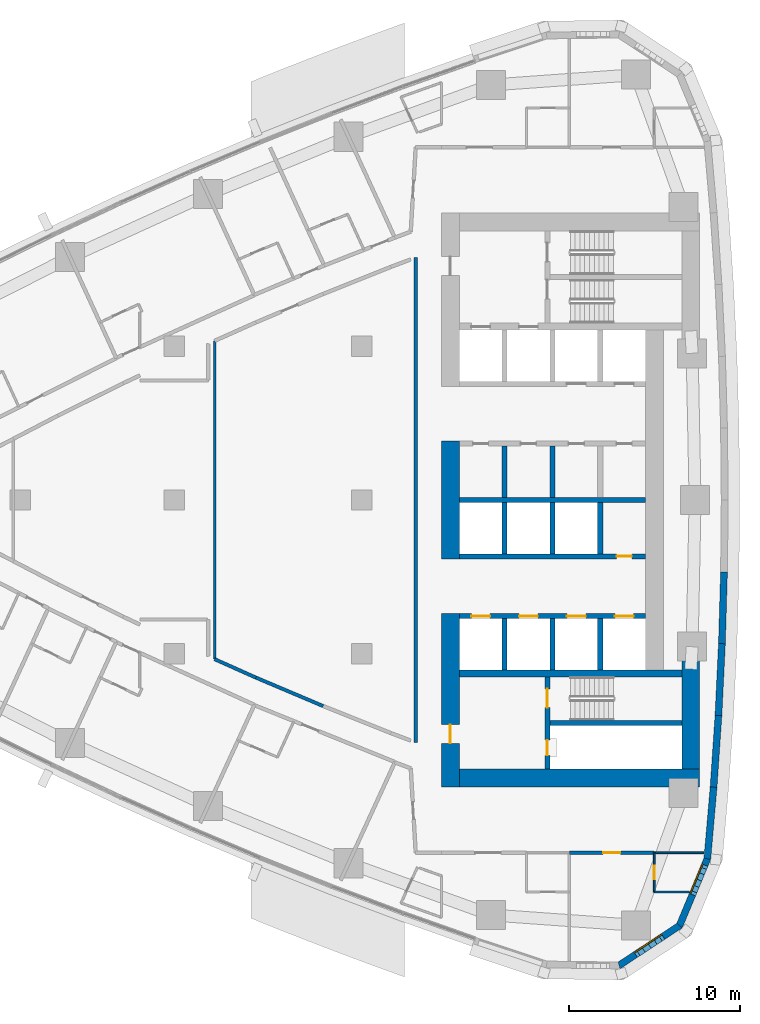
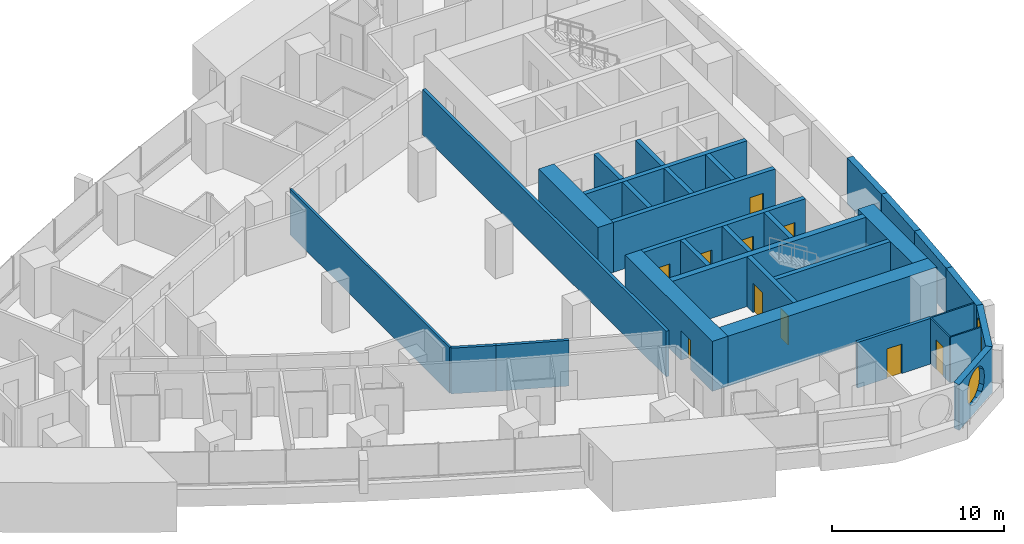
# One storey, part 10 of 17: 32 walls, 10 doors, 2 windows, 12 openings.
"""IFC4 building model written with IfcOpenShell, lengths in metres."""

from ifc_helpers import new_model, si_unit, direction, frame, frame_2d, origin, place, context, subcontext, project, spatial, polyline, rectangle, outline, extrude, material, layer, layer_set, type_object, element, fill, save


model = new_model("IFC4")

# Units and contexts
model_context = context("Model", 3, precision=1e-05, world=origin(), true_north=direction((0.0, 1.0)))
body_context = subcontext(model_context, "Body", "Model", "MODEL_VIEW")
ifc_project = project(units=[si_unit("LENGTHUNIT", "METRE"), si_unit("AREAUNIT", "SQUARE_METRE"), si_unit("VOLUMEUNIT", "CUBIC_METRE"), si_unit("PLANEANGLEUNIT", "RADIAN"), si_unit("MASSUNIT", "GRAM", prefix="KILO")], contexts=[model_context])

# Site, building, storey
site_placement = place(None, origin())
site = spatial("IfcSite", under=ifc_project, at=site_placement, CompositionType="ELEMENT")
building_placement = place(site_placement, origin())
building = spatial("IfcBuilding", under=site, at=building_placement, Name="Ostrand Prow Hotel Tower", CompositionType="ELEMENT")
storey_placement = place(building_placement, frame((0.0, 0.0, 99.10009765625)))
storey = spatial("IfcBuildingStorey", under=building, at=storey_placement, Name="L23", CompositionType="ELEMENT", Elevation=99.10009765625)

# Wall
ifc_material_1 = material(Name="Concrete C80/95", Category="concrete")
ifc_layer_1 = layer(ifc_material_1, 1.050048828125)
ifc_layer_set_1 = layer_set([ifc_layer_1], Name="Concrete C80/95")
wall_type_1 = type_object("IfcWallType", Name="Core wall 1050 C80/95", PredefinedType="SHEAR", material=ifc_layer_set_1)
wall_1_placement = place(storey_placement, frame((50.175048828125, -3.449951171875, 0.0), z_axis=(0.0, 0.0, 1.0), x_axis=(0.0, 1.0, 0.0)))
element("IfcWall", 1, at=wall_1_placement, inside=storey, type_object=wall_type_1, Name="Core wall CW-W-C", PredefinedType="SHEAR", context=body_context, shape_type="SweptSolid", body=[
    extrude(rectangle(XDim=6.89990234375, YDim=1.050048828125, at=frame_2d((3.449951171875, 0.0))), origin(), (0.0, 0.0, 1.0), 3.5498046875),
])

# Wall, opening, door
wall_2_placement = place(storey_placement, frame((50.175048828125, -16.800048828125, 0.0), z_axis=(0.0, 0.0, 1.0), x_axis=(0.0, 1.0, 0.0)))
wall_2 = element("IfcWall", 2, at=wall_2_placement, inside=storey, type_object=wall_type_1, Name="Core wall CW-W-S", PredefinedType="SHEAR", context=body_context, shape_type="SweptSolid", body=[
    extrude(rectangle(XDim=10.150146484375, YDim=1.050048828125, at=frame_2d((5.0751953125, 0.0))), origin(), (0.0, 0.0, 1.0), 3.5498046875),
])
opening_1_placement = place(wall_2_placement, frame((2.550048828125, 0.0, 0.0)))
opening_1 = element("IfcOpeningElement", 3, at=opening_1_placement, cuts=wall_2, Name="Opening FD1", PredefinedType="OPENING", context=body_context, shape_type="SweptSolid", body=[
    extrude(rectangle(XDim=1.10009765625, YDim=2.10009765625, at=frame_2d((0.550048828125, 1.050048828125))), frame((0.0, 0.534912109375, 0.0), z_axis=(0.0, -1.0, 0.0), x_axis=(1.0, 0.0, 0.0)), (0.0, 0.0, 1.0), 1.070068359375),
])
ifc_material_2 = material(Name="Steel fire door", Category="steel")
door_type_1 = type_object("IfcDoorType", Name="Fire door 1100 EI120", OperationType="SINGLE_SWING_RIGHT", PredefinedType="DOOR", material=ifc_material_2)
door_1_placement = place(opening_1_placement, origin())
door_1 = element("IfcDoor", 4, at=door_1_placement, inside=storey, type_object=door_type_1, Name="FIRE DOOR", OperationType="SINGLE_SWING_RIGHT", OverallHeight=2.10009765625, OverallWidth=1.10009765625, PredefinedType="DOOR", context=body_context, shape_type="SweptSolid", body=[
    extrude(rectangle(XDim=1.10009765625, YDim=2.10009765625, at=frame_2d((0.550048828125, 1.050048828125))), frame((0.0, 0.02490234375, 0.0), z_axis=(0.0, -1.0, 0.0), x_axis=(1.0, 0.0, 0.0)), (0.0, 0.0, 1.0), 0.050048828125),
])
fill(opening_1, door_1)

# Walls
wall_3_placement = place(storey_placement, frame((50.699951171875, -16.27490234375, 0.0), z_axis=(0.0, 0.0, 1.0), x_axis=(1.0, 0.0, 0.0)))
element("IfcWall", 5, at=wall_3_placement, inside=storey, type_object=wall_type_1, Name="Core wall CW-S", PredefinedType="SHEAR", context=body_context, shape_type="SweptSolid", body=[
    extrude(rectangle(XDim=14.070068359375, YDim=1.050048828125, at=frame_2d((7.03515625, 0.0))), origin(), (0.0, 0.0, 1.0), 3.5498046875),
])
wall_4_placement = place(storey_placement, frame((64.2451171875, -15.75, 0.0), z_axis=(0.0, 0.0, 1.0), x_axis=(0.0, 1.0, 0.0)))
element("IfcWall", 6, at=wall_4_placement, inside=storey, type_object=wall_type_1, Name="Core wall CW-E-S", PredefinedType="SHEAR", context=body_context, shape_type="SweptSolid", body=[
    extrude(rectangle(XDim=6.361328125, YDim=1.050048828125, at=frame_2d((3.1806640625, 0.0))), origin(), (0.0, 0.0, 1.0), 3.5498046875),
])
ifc_material_3 = material(Name="Concrete C80/95", Category="concrete")
ifc_layer_2 = layer(ifc_material_3, 0.300048828125)
ifc_layer_set_2 = layer_set([ifc_layer_2], Name="Concrete C80/95")
wall_type_2 = type_object("IfcWallType", Name="Core wall 300 C80/95", PredefinedType="SHEAR", material=ifc_layer_set_2)
wall_5_placement = place(storey_placement, frame((50.699951171875, 0.0, 0.0), z_axis=(0.0, 0.0, 1.0), x_axis=(1.0, 0.0, 0.0)))
element("IfcWall", 7, at=wall_5_placement, inside=storey, type_object=wall_type_2, Name="Core wall PW-C", PredefinedType="SHEAR", context=body_context, shape_type="SweptSolid", body=[
    extrude(rectangle(XDim=10.900146484375, YDim=0.300048828125, at=frame_2d((5.4501953125, 0.0))), origin(), (0.0, 0.0, 1.0), 3.5498046875),
])
for number, where, z_axis, x_axis, name in (
    (8, (53.35009765625, 0.14990234375, 0.0), (0.0, 0.0, 1.0), (0.0, 1.0, 0.0), "Core wall PW-R1-NB"),
    (9, (56.14990234375, 0.14990234375, 0.0), (0.0, 0.0, 1.0), (0.0, 1.0, 0.0), "Core wall PW-R2-NB"),
):
    element("IfcWall", number, at=place(storey_placement, frame(where, z_axis=z_axis, x_axis=x_axis)), inside=storey, type_object=wall_type_2, Name=name, PredefinedType="SHEAR", context=body_context, shape_type="SweptSolid", body=[
        extrude(rectangle(XDim=3.0, YDim=0.300048828125, at=frame_2d((1.5, 0.0))), origin(), (0.0, 0.0, 1.0), 3.5498046875),
    ])

# Wall, opening, door
wall_6_placement = place(storey_placement, frame((50.699951171875, -3.300048828125, 0.0), z_axis=(0.0, 0.0, 1.0), x_axis=(1.0, 0.0, 0.0)))
wall_6 = element("IfcWall", 10, at=wall_6_placement, inside=storey, type_object=wall_type_2, Name="Core wall PW-L1-S", PredefinedType="SHEAR", context=body_context, shape_type="SweptSolid", body=[
    extrude(rectangle(XDim=10.900146484375, YDim=0.300048828125, at=frame_2d((5.4501953125, 0.0))), origin(), (0.0, 0.0, 1.0), 3.5498046875),
])
opening_2_placement = place(wall_6_placement, frame((9.199951171875, 0.0, 0.0)))
opening_2 = element("IfcOpeningElement", 11, at=opening_2_placement, cuts=wall_6, Name="Opening FD2", PredefinedType="OPENING", context=body_context, shape_type="SweptSolid", body=[
    extrude(rectangle(XDim=0.89990234375, YDim=2.10009765625, at=frame_2d((0.449951171875, 1.050048828125))), frame((0.0, 0.159912109375, 0.0), z_axis=(0.0, -1.0, 0.0), x_axis=(1.0, 0.0, 0.0)), (0.0, 0.0, 1.0), 0.320068359375),
])
ifc_material_4 = material(Name="Steel fire door", Category="steel")
door_type_2 = type_object("IfcDoorType", Name="Fire door 900 EI120", OperationType="SINGLE_SWING_LEFT", PredefinedType="DOOR", material=ifc_material_4)
door_2_placement = place(opening_2_placement, origin())
door_2 = element("IfcDoor", 12, at=door_2_placement, inside=storey, type_object=door_type_2, Name="DOOR", OperationType="SINGLE_SWING_LEFT", OverallHeight=2.10009765625, OverallWidth=0.89990234375, PredefinedType="DOOR", context=body_context, shape_type="SweptSolid", body=[
    extrude(rectangle(XDim=0.89990234375, YDim=2.10009765625, at=frame_2d((0.449951171875, 1.050048828125))), frame((0.0, 0.02490234375, 0.0), z_axis=(0.0, -1.0, 0.0), x_axis=(1.0, 0.0, 0.0)), (0.0, 0.0, 1.0), 0.050048828125),
])
fill(opening_2, door_2)

# Wall, openings, doors
wall_7_placement = place(storey_placement, frame((50.699951171875, -6.800048828125, 0.0), z_axis=(0.0, 0.0, 1.0), x_axis=(1.0, 0.0, 0.0)))
wall_7 = element("IfcWall", 13, at=wall_7_placement, inside=storey, type_object=wall_type_2, Name="Core wall PW-L2-S", PredefinedType="SHEAR", context=body_context, shape_type="SweptSolid", body=[
    extrude(rectangle(XDim=10.900146484375, YDim=0.300048828125, at=frame_2d((5.4501953125, 0.0))), origin(), (0.0, 0.0, 1.0), 3.5498046875),
])
opening_3_placement = place(wall_7_placement, frame((0.699951171875, 0.0, 0.0)))
opening_3 = element("IfcOpeningElement", 14, at=opening_3_placement, cuts=wall_7, Name="Opening LD", PredefinedType="OPENING", context=body_context, shape_type="SweptSolid", body=[
    extrude(rectangle(XDim=1.10009765625, YDim=2.10009765625, at=frame_2d((0.550048828125, 1.050048828125))), frame((0.0, 0.159912109375, 0.0), z_axis=(0.0, -1.0, 0.0), x_axis=(1.0, 0.0, 0.0)), (0.0, 0.0, 1.0), 0.320068359375),
])
opening_4_placement = place(wall_7_placement, frame((3.5, 0.0, 0.0)))
opening_4 = element("IfcOpeningElement", 15, at=opening_4_placement, cuts=wall_7, Name="Opening LD", PredefinedType="OPENING", context=body_context, shape_type="SweptSolid", body=[
    extrude(rectangle(XDim=1.10009765625, YDim=2.10009765625, at=frame_2d((0.550048828125, 1.050048828125))), frame((0.0, 0.159912109375, 0.0), z_axis=(0.0, -1.0, 0.0), x_axis=(1.0, 0.0, 0.0)), (0.0, 0.0, 1.0), 0.320068359375),
])
opening_5_placement = place(wall_7_placement, frame((6.300048828125, 0.0, 0.0)))
opening_5 = element("IfcOpeningElement", 16, at=opening_5_placement, cuts=wall_7, Name="Opening LD", PredefinedType="OPENING", context=body_context, shape_type="SweptSolid", body=[
    extrude(rectangle(XDim=1.10009765625, YDim=2.10009765625, at=frame_2d((0.550048828125, 1.050048828125))), frame((0.0, 0.159912109375, 0.0), z_axis=(0.0, -1.0, 0.0), x_axis=(1.0, 0.0, 0.0)), (0.0, 0.0, 1.0), 0.320068359375),
])
opening_6_placement = place(wall_7_placement, frame((9.10009765625, 0.0, 0.0)))
opening_6 = element("IfcOpeningElement", 17, at=opening_6_placement, cuts=wall_7, Name="Opening LD", PredefinedType="OPENING", context=body_context, shape_type="SweptSolid", body=[
    extrude(rectangle(XDim=1.10009765625, YDim=2.10009765625, at=frame_2d((0.550048828125, 1.050048828125))), frame((0.0, 0.159912109375, 0.0), z_axis=(0.0, -1.0, 0.0), x_axis=(1.0, 0.0, 0.0)), (0.0, 0.0, 1.0), 0.320068359375),
])
ifc_material_5 = material(Name="Stainless steel door", Category="steel")
door_type_3 = type_object("IfcDoorType", Name="Lift landing door 1100", OperationType="DOUBLE_DOOR_SLIDING", PredefinedType="DOOR", material=ifc_material_5)
door_3_placement = place(opening_3_placement, origin())
door_3 = element("IfcDoor", 18, at=door_3_placement, inside=storey, type_object=door_type_3, Name="LIFT LANDING DOOR", OperationType="DOUBLE_DOOR_SLIDING", OverallHeight=2.10009765625, OverallWidth=1.10009765625, PredefinedType="DOOR", context=body_context, shape_type="SweptSolid", body=[
    extrude(rectangle(XDim=1.10009765625, YDim=2.10009765625, at=frame_2d((0.550048828125, 1.050048828125))), frame((0.0, 0.02490234375, 0.0), z_axis=(0.0, -1.0, 0.0), x_axis=(1.0, 0.0, 0.0)), (0.0, 0.0, 1.0), 0.050048828125),
])
fill(opening_3, door_3)
door_4_placement = place(opening_4_placement, origin())
door_4 = element("IfcDoor", 19, at=door_4_placement, inside=storey, type_object=door_type_3, Name="LIFT LANDING DOOR", OperationType="DOUBLE_DOOR_SLIDING", OverallHeight=2.10009765625, OverallWidth=1.10009765625, PredefinedType="DOOR", context=body_context, shape_type="SweptSolid", body=[
    extrude(rectangle(XDim=1.10009765625, YDim=2.10009765625, at=frame_2d((0.550048828125, 1.050048828125))), frame((0.0, 0.02490234375, 0.0), z_axis=(0.0, -1.0, 0.0), x_axis=(1.0, 0.0, 0.0)), (0.0, 0.0, 1.0), 0.050048828125),
])
fill(opening_4, door_4)
door_5_placement = place(opening_5_placement, origin())
door_5 = element("IfcDoor", 20, at=door_5_placement, inside=storey, type_object=door_type_3, Name="LIFT LANDING DOOR", OperationType="DOUBLE_DOOR_SLIDING", OverallHeight=2.10009765625, OverallWidth=1.10009765625, PredefinedType="DOOR", context=body_context, shape_type="SweptSolid", body=[
    extrude(rectangle(XDim=1.10009765625, YDim=2.10009765625, at=frame_2d((0.550048828125, 1.050048828125))), frame((0.0, 0.02490234375, 0.0), z_axis=(0.0, -1.0, 0.0), x_axis=(1.0, 0.0, 0.0)), (0.0, 0.0, 1.0), 0.050048828125),
])
fill(opening_5, door_5)
door_6_placement = place(opening_6_placement, origin())
door_6 = element("IfcDoor", 21, at=door_6_placement, inside=storey, type_object=door_type_3, Name="LIFT LANDING DOOR", OperationType="DOUBLE_DOOR_SLIDING", OverallHeight=2.10009765625, OverallWidth=1.10009765625, PredefinedType="DOOR", context=body_context, shape_type="SweptSolid", body=[
    extrude(rectangle(XDim=1.10009765625, YDim=2.10009765625, at=frame_2d((0.550048828125, 1.050048828125))), frame((0.0, 0.02490234375, 0.0), z_axis=(0.0, -1.0, 0.0), x_axis=(1.0, 0.0, 0.0)), (0.0, 0.0, 1.0), 0.050048828125),
])
fill(opening_6, door_6)

# Walls
for number, where, z_axis, x_axis, name in (
    (22, (53.35009765625, -3.14990234375, 0.0), (0.0, 0.0, 1.0), (0.0, 1.0, 0.0), "Core wall PW-R1-SB"),
    (23, (53.35009765625, -9.949951171875, 0.0), (0.0, 0.0, 1.0), (0.0, 1.0, 0.0), "Core wall PW-R1-SA"),
    (24, (56.14990234375, -3.14990234375, 0.0), (0.0, 0.0, 1.0), (0.0, 1.0, 0.0), "Core wall PW-R2-SB"),
    (25, (56.14990234375, -9.949951171875, 0.0), (0.0, 0.0, 1.0), (0.0, 1.0, 0.0), "Core wall PW-R2-SA"),
    (26, (58.949951171875, -3.14990234375, 0.0), (0.0, 0.0, 1.0), (0.0, 1.0, 0.0), "Core wall PW-R3-SB"),
    (27, (58.949951171875, -9.949951171875, 0.0), (0.0, 0.0, 1.0), (0.0, 1.0, 0.0), "Core wall PW-R3-SA"),
):
    element("IfcWall", number, at=place(storey_placement, frame(where, z_axis=z_axis, x_axis=x_axis)), inside=storey, type_object=wall_type_2, Name=name, PredefinedType="SHEAR", context=body_context, shape_type="SweptSolid", body=[
        extrude(rectangle(XDim=3.0, YDim=0.300048828125, at=frame_2d((1.5, 0.0))), origin(), (0.0, 0.0, 1.0), 3.5498046875),
    ])

# Wall, openings, doors
wall_8_placement = place(storey_placement, frame((55.85009765625, -15.75, 0.0), z_axis=(0.0, 0.0, 1.0), x_axis=(0.0, 1.0, 0.0)))
wall_8 = element("IfcWall", 28, at=wall_8_placement, inside=storey, type_object=wall_type_2, Name="Core wall PW-VS", PredefinedType="SHEAR", context=body_context, shape_type="SweptSolid", body=[
    extrude(rectangle(XDim=5.39990234375, YDim=0.300048828125, at=frame_2d((2.699951171875, 0.0))), origin(), (0.0, 0.0, 1.0), 3.5498046875),
])
opening_7_placement = place(wall_8_placement, frame((3.60009765625, 0.0, 0.0)))
opening_7 = element("IfcOpeningElement", 29, at=opening_7_placement, cuts=wall_8, Name="Opening FD1", PredefinedType="OPENING", context=body_context, shape_type="SweptSolid", body=[
    extrude(rectangle(XDim=1.10009765625, YDim=2.10009765625, at=frame_2d((0.550048828125, 1.050048828125))), frame((0.0, 0.159912109375, 0.0), z_axis=(0.0, -1.0, 0.0), x_axis=(1.0, 0.0, 0.0)), (0.0, 0.0, 1.0), 0.320068359375),
])
opening_8_placement = place(wall_8_placement, frame((0.800048828125, 0.0, 0.0)))
opening_8 = element("IfcOpeningElement", 30, at=opening_8_placement, cuts=wall_8, Name="Opening FD2", PredefinedType="OPENING", context=body_context, shape_type="SweptSolid", body=[
    extrude(rectangle(XDim=0.89990234375, YDim=2.10009765625, at=frame_2d((0.449951171875, 1.050048828125))), frame((0.0, 0.159912109375, 0.0), z_axis=(0.0, -1.0, 0.0), x_axis=(1.0, 0.0, 0.0)), (0.0, 0.0, 1.0), 0.320068359375),
])
door_7_placement = place(opening_7_placement, origin())
door_7 = element("IfcDoor", 31, at=door_7_placement, inside=storey, type_object=door_type_1, Name="FIRE DOOR", OperationType="SINGLE_SWING_RIGHT", OverallHeight=2.10009765625, OverallWidth=1.10009765625, PredefinedType="DOOR", context=body_context, shape_type="SweptSolid", body=[
    extrude(rectangle(XDim=1.10009765625, YDim=2.10009765625, at=frame_2d((0.550048828125, 1.050048828125))), frame((0.0, 0.02490234375, 0.0), z_axis=(0.0, -1.0, 0.0), x_axis=(1.0, 0.0, 0.0)), (0.0, 0.0, 1.0), 0.050048828125),
])
fill(opening_7, door_7)
door_8_placement = place(opening_8_placement, origin())
door_8 = element("IfcDoor", 32, at=door_8_placement, inside=storey, type_object=door_type_2, Name="FIRE DOOR", OperationType="SINGLE_SWING_LEFT", OverallHeight=2.10009765625, OverallWidth=0.89990234375, PredefinedType="DOOR", context=body_context, shape_type="SweptSolid", body=[
    extrude(rectangle(XDim=0.89990234375, YDim=2.10009765625, at=frame_2d((0.449951171875, 1.050048828125))), frame((0.0, 0.02490234375, 0.0), z_axis=(0.0, -1.0, 0.0), x_axis=(1.0, 0.0, 0.0)), (0.0, 0.0, 1.0), 0.050048828125),
])
fill(opening_8, door_8)

# Walls
wall_9_placement = place(storey_placement, frame((56.0, -13.050048828125, 0.0), z_axis=(0.0, 0.0, 1.0), x_axis=(1.0, 0.0, 0.0)))
element("IfcWall", 33, at=wall_9_placement, inside=storey, type_object=wall_type_2, Name="Core wall PW-ST2R", PredefinedType="SHEAR", context=body_context, shape_type="SweptSolid", body=[
    extrude(rectangle(XDim=7.719970703125, YDim=0.300048828125, at=frame_2d((3.85986328125, 0.0))), origin(), (0.0, 0.0, 1.0), 3.5498046875),
])
ifc_material_6 = material(Name="Concrete C80/95", Category="concrete")
ifc_layer_3 = layer(ifc_material_6, 0.39990234375)
ifc_layer_set_3 = layer_set([ifc_layer_3], Name="Concrete C80/95")
wall_type_3 = type_object("IfcWallType", Name="Core wall 400 C80/95", PredefinedType="SHEAR", material=ifc_layer_set_3)
wall_10_placement = place(storey_placement, frame((50.699951171875, -10.14990234375, 0.0), z_axis=(0.0, 0.0, 1.0), x_axis=(1.0, 0.0, 0.0)))
element("IfcWall", 34, at=wall_10_placement, inside=storey, type_object=wall_type_3, Name="Core wall PW-BS", PredefinedType="SHEAR", context=body_context, shape_type="SweptSolid", body=[
    extrude(rectangle(XDim=13.02001953125, YDim=0.39990234375, at=frame_2d((6.510009765625, 0.0))), origin(), (0.0, 0.0, 1.0), 3.5498046875),
])
ifc_material_7 = material(Name="Plasterboard partition")
ifc_layer_4 = layer(ifc_material_7, 0.10009765625)
ifc_layer_set_4 = layer_set([ifc_layer_4], Name="Plasterboard partition")
wall_type_4 = type_object("IfcWallType", Name="Partition 100 bathroom wall", PredefinedType="PARTITIONING", material=ifc_layer_set_4)
wall_11_placement = place(storey_placement, frame((64.160400390625, -22.949951171875, 0.0), z_axis=(0.0, 0.0, 1.0), x_axis=(-1.0, 0.0, 0.0)))
element("IfcWall", 35, at=wall_11_placement, inside=storey, type_object=wall_type_4, Name="BATHROOM WALL", PredefinedType="PARTITIONING", context=body_context, shape_type="SweptSolid", body=[
    extrude(rectangle(XDim=2.04931640625, YDim=0.10009765625, at=frame_2d((1.024658203125, 0.0))), origin(), (0.0, 0.0, 1.0), 3.25),
])

# Wall, opening, door
wall_12_placement = place(storey_placement, frame((62.111083984375, -22.949951171875, 0.0), z_axis=(0.0, 0.0, 1.0), x_axis=(0.0, 1.0, 0.0)))
wall_12 = element("IfcWall", 36, at=wall_12_placement, inside=storey, type_object=wall_type_4, Name="BATHROOM WALL", PredefinedType="PARTITIONING", context=body_context, shape_type="SweptSolid", body=[
    extrude(rectangle(XDim=2.300048828125, YDim=0.10009765625, at=frame_2d((1.14990234375, 0.0))), origin(), (0.0, 0.0, 1.0), 3.25),
])
opening_9_placement = place(wall_12_placement, frame((0.75, 0.0, 0.0)))
opening_9 = element("IfcOpeningElement", 37, at=opening_9_placement, cuts=wall_12, Name="Opening D2", PredefinedType="OPENING", context=body_context, shape_type="SweptSolid", body=[
    extrude(rectangle(XDim=0.800048828125, YDim=2.10009765625, at=frame_2d((0.39990234375, 1.050048828125))), frame((0.0, 0.06005859375, 0.0), z_axis=(0.0, -1.0, 0.0), x_axis=(1.0, 0.0, 0.0)), (0.0, 0.0, 1.0), 0.1201171875),
])
ifc_material_8 = material(Name="Timber door leaf", Category="wood")
door_type_4 = type_object("IfcDoorType", Name="Bathroom door 800", OperationType="SINGLE_SWING_LEFT", PredefinedType="DOOR", material=ifc_material_8)
door_9_placement = place(opening_9_placement, origin())
door_9 = element("IfcDoor", 38, at=door_9_placement, inside=storey, type_object=door_type_4, Name="DOOR", OperationType="SINGLE_SWING_LEFT", OverallHeight=2.10009765625, OverallWidth=0.800048828125, PredefinedType="DOOR", context=body_context, shape_type="SweptSolid", body=[
    extrude(rectangle(XDim=0.800048828125, YDim=2.10009765625, at=frame_2d((0.39990234375, 1.050048828125))), frame((0.0, 0.02490234375, 0.0), z_axis=(0.0, -1.0, 0.0), x_axis=(1.0, 0.0, 0.0)), (0.0, 0.0, 1.0), 0.050048828125),
])
fill(opening_9, door_9)

# Walls
wall_13_placement = place(storey_placement, frame((62.111083984375, -20.655029296875, 0.0), z_axis=(0.0, 0.0, 1.0), x_axis=(1.0, 0.0, 0.0)))
element("IfcWall", 39, at=wall_13_placement, inside=storey, type_object=wall_type_4, Name="BATHROOM WALL", PredefinedType="PARTITIONING", context=body_context, shape_type="SweptSolid", body=[
    extrude(rectangle(XDim=2.90576171875, YDim=0.10009765625, at=frame_2d((1.452880859375, 0.0))), origin(), (0.0, 0.0, 1.0), 3.25),
])
ifc_material_9 = material(Name="Plasterboard partition")
ifc_layer_5 = layer(ifc_material_9, 0.14990234375)
ifc_layer_set_5 = layer_set([ifc_layer_5], Name="Plasterboard partition")
wall_type_5 = type_object("IfcWallType", Name="Partition 150 room partition", PredefinedType="PARTITIONING", material=ifc_layer_set_5)
wall_14_placement = place(storey_placement, frame((36.373779296875, -9.31689453125, 0.0), z_axis=(0.0, 0.0, 1.0), x_axis=(0.0, 1.0, 0.0)))
element("IfcWall", 40, at=wall_14_placement, inside=storey, type_object=wall_type_5, Name="ROOM PARTITION", PredefinedType="PARTITIONING", context=body_context, shape_type="SweptSolid", body=[
    extrude(rectangle(XDim=18.6337890625, YDim=0.14990234375, at=frame_2d((9.31689453125, 0.0))), origin(), (0.0, 0.0, 1.0), 3.25),
])
ifc_material_10 = material(Name="Plasterboard partition")
ifc_layer_6 = layer(ifc_material_10, 0.199951171875)
ifc_layer_set_6 = layer_set([ifc_layer_6], Name="Plasterboard partition")
wall_type_6 = type_object("IfcWallType", Name="Partition 200 corridor wall", PredefinedType="PARTITIONING", material=ifc_layer_set_6)
wall_15_placement = place(storey_placement, frame((42.727783203125, -12.0615234375, 0.0), z_axis=(0.0, 0.0, 1.0), x_axis=(-0.921037415532, 0.389474105929, 0.0)))
element("IfcWall", 41, at=wall_15_placement, inside=storey, type_object=wall_type_6, Name="CORRIDOR WALL", PredefinedType="PARTITIONING", context=body_context, shape_type="SweptSolid", body=[
    extrude(rectangle(XDim=4.273193359375, YDim=0.199951171875, at=frame_2d((2.13671875, 0.0))), origin(), (0.0, 0.0, 1.0), 3.25),
])
wall_16_placement = place(storey_placement, frame((38.7919921875, -10.397216796875, 0.0), z_axis=(0.0, 0.0, 1.0), x_axis=(-0.913030623494, 0.407891015544, 0.0)))
element("IfcWall", 42, at=wall_16_placement, inside=storey, type_object=wall_type_6, Name="CORRIDOR WALL", PredefinedType="PARTITIONING", context=body_context, shape_type="SweptSolid", body=[
    extrude(rectangle(XDim=2.6484375, YDim=0.199951171875, at=frame_2d((1.32421875, 0.0))), origin(), (0.0, 0.0, 1.0), 3.25),
])

# Wall, opening, door
wall_17_placement = place(storey_placement, frame((57.135498046875, -20.655029296875, 0.0), z_axis=(0.0, 0.0, 1.0), x_axis=(1.0, 0.0, 0.0)))
wall_17 = element("IfcWall", 43, at=wall_17_placement, inside=storey, type_object=wall_type_6, Name="CORRIDOR WALL", PredefinedType="PARTITIONING", context=body_context, shape_type="SweptSolid", body=[
    extrude(rectangle(XDim=4.970703125, YDim=0.199951171875, at=frame_2d((2.4853515625, 0.0))), origin(), (0.0, 0.0, 1.0), 3.25),
])
opening_10_placement = place(wall_17_placement, frame((1.9853515625, 0.0, 0.0)))
opening_10 = element("IfcOpeningElement", 44, at=opening_10_placement, cuts=wall_17, Name="Opening D1", PredefinedType="OPENING", context=body_context, shape_type="SweptSolid", body=[
    extrude(rectangle(XDim=1.0, YDim=2.10009765625, at=frame_2d((0.5, 1.050048828125))), frame((0.0, 0.10986328125, 0.0), z_axis=(0.0, -1.0, 0.0), x_axis=(1.0, 0.0, 0.0)), (0.0, 0.0, 1.0), 0.219970703125),
])
ifc_material_11 = material(Name="Timber door leaf", Category="wood")
door_type_5 = type_object("IfcDoorType", Name="Guest room door 1000", OperationType="SINGLE_SWING_LEFT", PredefinedType="DOOR", material=ifc_material_11)
door_10_placement = place(opening_10_placement, origin())
door_10 = element("IfcDoor", 45, at=door_10_placement, inside=storey, type_object=door_type_5, Name="DOOR", OperationType="SINGLE_SWING_LEFT", OverallHeight=2.10009765625, OverallWidth=1.0, PredefinedType="DOOR", context=body_context, shape_type="SweptSolid", body=[
    extrude(rectangle(XDim=1.0, YDim=2.10009765625, at=frame_2d((0.5, 1.050048828125))), frame((0.0, 0.02490234375, 0.0), z_axis=(0.0, -1.0, 0.0), x_axis=(1.0, 0.0, 0.0)), (0.0, 0.0, 1.0), 0.050048828125),
])
fill(opening_10, door_10)

# Wall
wall_18_placement = place(storey_placement, frame((48.14990234375, 14.188720703125, 0.0), z_axis=(0.0, 0.0, 1.0), x_axis=(0.0, -1.0, 0.0)))
element("IfcWall", 46, at=wall_18_placement, inside=storey, type_object=wall_type_6, Name="CORRIDOR WALL", PredefinedType="PARTITIONING", context=body_context, shape_type="SweptSolid", body=[
    extrude(rectangle(XDim=28.37744140625, YDim=0.199951171875, at=frame_2d((14.188720703125, 0.0))), origin(), (0.0, 0.0, 1.0), 3.25),
])

# Wall, opening, window
ifc_material_12 = material(Name="Precast concrete C40/50", Category="concrete")
ifc_layer_7 = layer(ifc_material_12, 0.39990234375)
ifc_layer_set_7 = layer_set([ifc_layer_7], Name="Precast concrete C40/50")
wall_type_7 = type_object("IfcWallType", Name="Stone-faced precast wall 400 mm", PredefinedType="NOTDEFINED", material=ifc_layer_set_7)
wall_19_placement = place(storey_placement, frame((60.048583984375, -27.245849609375, 0.0), z_axis=(0.0, 0.0, 1.0), x_axis=(0.835340523653, 0.549732852887, 0.0)))
wall_19 = element("IfcWall", 47, at=wall_19_placement, inside=storey, type_object=wall_type_7, Name="Stone-faced wall back 3", PredefinedType="NOTDEFINED", context=body_context, shape_type="SweptSolid", body=[
    extrude(outline(polyline([(-0.061279296875, -0.199951171875), (4.30029296875, -0.199951171875), (4.177734375, 0.199951171875), (0.061279296875, 0.199951171875), (-0.061279296875, -0.199951171875)])), origin(), (0.0, 0.0, 1.0), 3.25),
])
opening_11_placement = place(wall_19_placement, frame((1.01953125, 0.0, 0.60009765625)))
opening_11 = element("IfcOpeningElement", 48, at=opening_11_placement, cuts=wall_19, Name="Opening WP1", PredefinedType="OPENING", context=body_context, shape_type="SweptSolid", body=[
    extrude(outline(polyline([(0.0, 1.35009765625), (0.083740234375, 1.77099609375), (0.322265625, 2.127685546875), (0.678955078125, 2.3662109375), (1.10009765625, 2.449951171875), (1.52099609375, 2.3662109375), (1.877685546875, 2.127685546875), (2.1162109375, 1.77099609375), (2.199951171875, 1.35009765625), (2.199951171875, 1.10009765625), (2.1162109375, 0.678955078125), (1.877685546875, 0.322265625), (1.52099609375, 0.083740234375), (1.10009765625, 0.0), (0.678955078125, 0.083740234375), (0.322265625, 0.322265625), (0.083740234375, 0.678955078125), (0.0, 1.099853515625), (0.0, 1.35009765625)])), frame((0.0, 0.2099609375, 0.0), z_axis=(0.0, -1.0, 0.0), x_axis=(1.0, 0.0, 0.0)), (0.0, 0.0, 1.0), 0.419921875),
])
ifc_material_13 = material(Name="Insulated glass in bronze frame", Category="glass")
window_type_1 = type_object("IfcWindowType", Name="Round-ended prow window 2200x2450", PartitioningType="SINGLE_PANEL", PredefinedType="WINDOW", material=ifc_material_13)
window_1_placement = place(opening_11_placement, origin())
window_1 = element("IfcWindow", 49, at=window_1_placement, inside=storey, type_object=window_type_1, Name="Window back 3.1", OverallHeight=2.449951171875, OverallWidth=2.199951171875, PartitioningType="SINGLE_PANEL", PredefinedType="WINDOW", context=body_context, shape_type="SweptSolid", body=[
    extrude(outline(polyline([(0.0, 1.35009765625), (0.083740234375, 1.77099609375), (0.322265625, 2.127685546875), (0.678955078125, 2.3662109375), (1.10009765625, 2.449951171875), (1.52099609375, 2.3662109375), (1.877685546875, 2.127685546875), (2.1162109375, 1.77099609375), (2.199951171875, 1.35009765625), (2.199951171875, 1.10009765625), (2.1162109375, 0.678955078125), (1.877685546875, 0.322265625), (1.52099609375, 0.083740234375), (1.10009765625, 0.0), (0.678955078125, 0.083740234375), (0.322265625, 0.322265625), (0.083740234375, 0.678955078125), (0.0, 1.099853515625), (0.0, 1.35009765625)])), frame((0.0, 0.169921875, 0.0), z_axis=(0.0, -1.0, 0.0), x_axis=(1.0, 0.0, 0.0)), (0.0, 0.0, 1.0), 0.06005859375),
])
fill(opening_11, window_1)

wall_20_placement = place(storey_placement, frame((63.589599609375, -24.91552734375, 0.0), z_axis=(0.0, 0.0, 1.0), x_axis=(0.383997751971, 0.923334027577, 0.0)))
wall_20 = element("IfcWall", 50, at=wall_20_placement, inside=storey, type_object=wall_type_7, Name="Stone-faced wall back 4", PredefinedType="NOTDEFINED", context=body_context, shape_type="SweptSolid", body=[
    extrude(outline(polyline([(-0.061279296875, -0.199951171875), (4.269775390625, -0.199951171875), (4.207763671875, 0.199951171875), (0.061279296875, 0.199951171875), (-0.061279296875, -0.199951171875)])), origin(), (0.0, 0.0, 1.0), 3.25),
])
opening_12_placement = place(wall_20_placement, frame((1.852294921875, 0.0, 0.60009765625)))
opening_12 = element("IfcOpeningElement", 51, at=opening_12_placement, cuts=wall_20, Name="Opening WP1-21", PredefinedType="OPENING", context=body_context, shape_type="SweptSolid", body=[
    extrude(outline(polyline([(0.0, 1.39990234375), (0.079833984375, 1.8017578125), (0.3076171875, 2.142333984375), (0.648193359375, 2.3701171875), (1.050048828125, 2.449951171875), (1.451904296875, 2.3701171875), (1.79248046875, 2.142333984375), (2.020263671875, 1.8017578125), (2.10009765625, 1.39990234375), (2.10009765625, 1.050048828125), (2.020263671875, 0.648193359375), (1.79248046875, 0.3076171875), (1.451904296875, 0.079833984375), (1.050048828125, 0.0), (0.648193359375, 0.079833984375), (0.3076171875, 0.3076171875), (0.079833984375, 0.648193359375), (0.0, 1.050048828125), (0.0, 1.39990234375)])), frame((0.0, 0.2099609375, 0.0), z_axis=(0.0, -1.0, 0.0), x_axis=(1.0, 0.0, 0.0)), (0.0, 0.0, 1.0), 0.419921875),
])
ifc_material_14 = material(Name="Insulated glass in bronze frame", Category="glass")
window_type_2 = type_object("IfcWindowType", Name="Round-ended prow window 2100x2450", PartitioningType="SINGLE_PANEL", PredefinedType="WINDOW", material=ifc_material_14)
window_2_placement = place(opening_12_placement, origin())
window_2 = element("IfcWindow", 52, at=window_2_placement, inside=storey, type_object=window_type_2, Name="Window back 4.1", OverallHeight=2.449951171875, OverallWidth=2.10009765625, PartitioningType="SINGLE_PANEL", PredefinedType="WINDOW", context=body_context, shape_type="SweptSolid", body=[
    extrude(outline(polyline([(0.0, 1.39990234375), (0.079833984375, 1.8017578125), (0.3076171875, 2.142333984375), (0.648193359375, 2.3701171875), (1.050048828125, 2.449951171875), (1.451904296875, 2.3701171875), (1.79248046875, 2.142333984375), (2.020263671875, 1.8017578125), (2.10009765625, 1.39990234375), (2.10009765625, 1.050048828125), (2.020263671875, 0.648193359375), (1.79248046875, 0.3076171875), (1.451904296875, 0.079833984375), (1.050048828125, 0.0), (0.648193359375, 0.079833984375), (0.3076171875, 0.3076171875), (0.079833984375, 0.648193359375), (0.0, 1.050048828125), (0.0, 1.39990234375)])), frame((0.0, 0.169921875, 0.0), z_axis=(0.0, -1.0, 0.0), x_axis=(1.0, 0.0, 0.0)), (0.0, 0.0, 1.0), 0.06005859375),
])
fill(opening_12, window_2)

# Walls
wall_21_placement = place(storey_placement, frame((65.21728515625, -21.001708984375, 0.0), z_axis=(0.0, 0.0, 1.0), x_axis=(0.086992730434, 0.996208946382, 0.0)))
element("IfcWall", 53, at=wall_21_placement, inside=storey, type_object=wall_type_7, Name="Stone-faced wall back 5", PredefinedType="NOTDEFINED", context=body_context, shape_type="SweptSolid", body=[
    extrude(outline(polyline([(-0.031005859375, -0.199951171875), (4.208740234375, -0.199951171875), (4.204833984375, 0.199951171875), (0.031005859375, 0.199951171875), (-0.031005859375, -0.199951171875)])), origin(), (0.0, 0.0, 1.0), 3.25),
])
wall_22_placement = place(storey_placement, frame((65.583251953125, -16.810791015625, 0.0), z_axis=(0.0, 0.0, 1.0), x_axis=(0.067724559895, 0.997704056315, 0.0)))
element("IfcWall", 54, at=wall_22_placement, inside=storey, type_object=wall_type_7, Name="Stone-faced wall back 6", PredefinedType="NOTDEFINED", context=body_context, shape_type="SweptSolid", body=[
    extrude(outline(polyline([(-0.001953125, -0.199951171875), (4.208984375, -0.199951171875), (4.205078125, 0.199951171875), (0.001953125, 0.199951171875), (-0.001953125, -0.199951171875)])), origin(), (0.0, 0.0, 1.0), 3.25),
])
for number, where, z_axis, x_axis, name in (
    (55, (65.8681640625, -12.613525390625, 0.0), (0.0, 0.0, 1.0), (0.048342691508, 0.998830808585, 0.0), "Stone-faced wall back 7"),
    (56, (66.071533203125, -8.41162109375, 0.0), (0.0, 0.0, 1.0), (0.02901703777, 0.999578917104, 0.0), "Stone-faced wall back 8"),
):
    element("IfcWall", number, at=place(storey_placement, frame(where, z_axis=z_axis, x_axis=x_axis)), inside=storey, type_object=wall_type_7, Name=name, PredefinedType="NOTDEFINED", context=body_context, shape_type="SweptSolid", body=[
        extrude(outline(polyline([(-0.001953125, -0.199951171875), (4.208740234375, -0.199951171875), (4.204833984375, 0.199951171875), (0.001953125, 0.199951171875), (-0.001953125, -0.199951171875)])), origin(), (0.0, 0.0, 1.0), 3.25),
    ])

save(model, "model.ifc")
